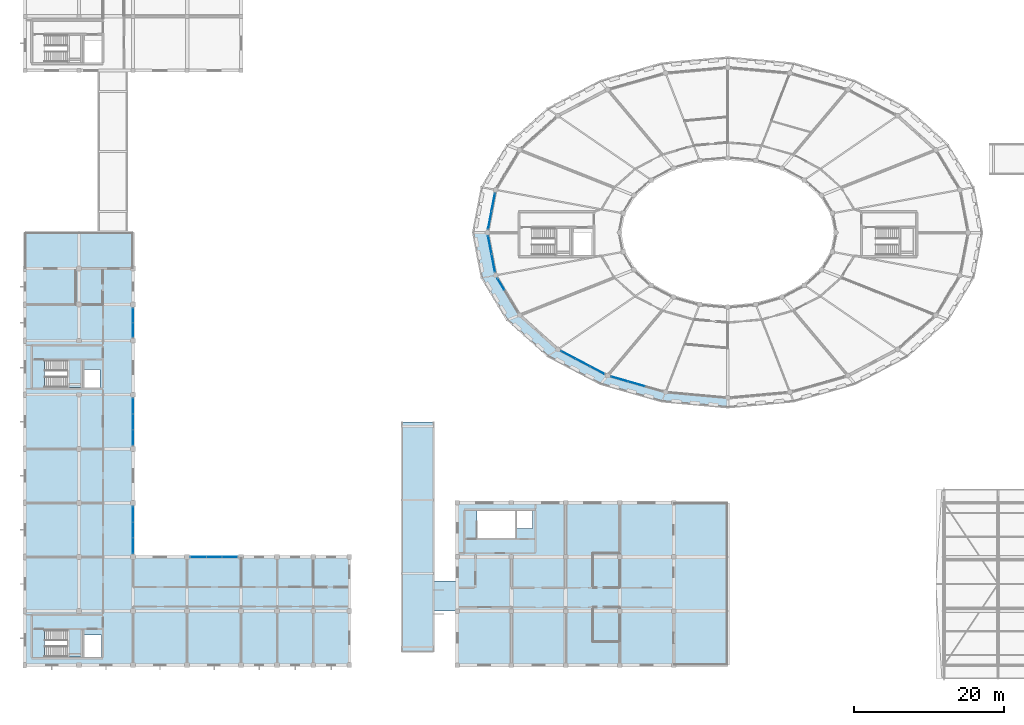
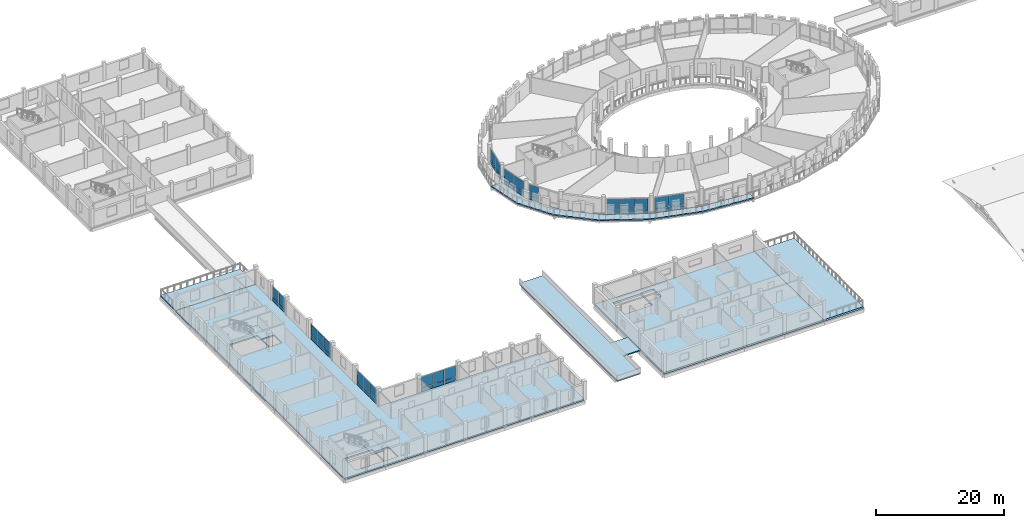
# One storey, part 64 of 93: 42 plates, 8 slabs, 11 elements without a shape of their own.
"""IFC4 building model written with IfcOpenShell, lengths in metres."""

import ifcopenshell
import ifcopenshell.guid

model = None  # the IFC model being written
_history = None  # IfcOwnerHistory: only IFC2X3 demands one
_inside = {}  # id of a spatial element -> (the spatial element, [elements in it])
_under = {}  # id of a project, library or spatial element -> (it, [spatial elements below it])
_declared = {}  # id of a project -> (the project, [libraries it declares])
_typed = {}  # id of a type object -> (the type object, [elements of that type])
_made_of = {}  # id of a material, layer set ... -> (it, [elements and type objects made of it])


def new_model(schema):
    """Start an empty IFC model of exactly this schema.

    Asked for "IFC4X3", IfcOpenShell would pick the latest addendum, in which some entities
    have other attributes; the version numbers below select the first issue.
    IFC2X3 requires an IfcOwnerHistory on every rooted entity: one is made here for all.
    """
    global model, _history
    if schema == "IFC4X3":
        model = ifcopenshell.file(schema_version=(4, 3, 0, 0))
    else:
        model = ifcopenshell.file(schema=schema)
    _inside.clear()
    _under.clear()
    _declared.clear()
    _typed.clear()
    _made_of.clear()
    _history = None
    if model.schema == "IFC2X3":
        org = make("IfcOrganization", Name="unknown")
        user = make(
            "IfcPersonAndOrganization",
            ThePerson=make("IfcPerson", FamilyName="unknown"),
            TheOrganization=org,
        )
        app = make(
            "IfcApplication",
            ApplicationDeveloper=org,
            Version="unknown",
            ApplicationFullName="unknown",
            ApplicationIdentifier="unknown",
        )
        _history = make(
            "IfcOwnerHistory",
            OwningUser=user,
            OwningApplication=app,
            ChangeAction="ADDED",
            CreationDate=0,
        )
    return model


def make(cls, **values):
    """One entity of the class cls with the attributes given. An attribute that is None is left unset."""
    return model.create_entity(
        cls, **{name: value for name, value in values.items() if value is not None}
    )


def rooted(cls, **values):
    """An entity with a GlobalId (a new one), such as an element, a storey or a relation."""
    return make(cls, GlobalId=ifcopenshell.guid.new(), OwnerHistory=_history, **values)


def si_unit(unit_type, name, prefix=None):
    """IfcSIUnit, for example si_unit("LENGTHUNIT", "METRE", prefix="MILLI")."""
    return make("IfcSIUnit", UnitType=unit_type, Prefix=prefix, Name=name)


def assignment(units):
    """IfcUnitAssignment: the units of a project."""
    return None if units is None else make("IfcUnitAssignment", Units=units)


def point(xyz):
    """IfcCartesianPoint."""
    return None if xyz is None else make("IfcCartesianPoint", Coordinates=xyz)


def direction(xyz):
    """IfcDirection."""
    return None if xyz is None else make("IfcDirection", DirectionRatios=xyz)


def frame(location, z_axis=None, x_axis=None):
    """IfcAxis2Placement3D, a coordinate frame: its origin and axes. An axis left out is left unset."""
    return make(
        "IfcAxis2Placement3D",
        Location=point(location),
        Axis=direction(z_axis),
        RefDirection=direction(x_axis),
    )


def frame_2d(location, x_axis=None):
    """IfcAxis2Placement2D, a coordinate frame in the plane: its origin and x axis."""
    return make(
        "IfcAxis2Placement2D", Location=point(location), RefDirection=direction(x_axis)
    )


def origin():
    """The frame at (0, 0, 0) with its axes left unset."""
    return frame((0.0, 0.0, 0.0))


def origin_2d():
    """The frame at (0, 0) in the plane with its x axis left unset."""
    return frame_2d((0.0, 0.0))


def place(relative_to, where):
    """IfcLocalPlacement: puts the frame where relative to a parent placement (None: the world)."""
    return make(
        "IfcLocalPlacement", PlacementRelTo=relative_to, RelativePlacement=where
    )


def context(
    kind, dimensions, precision=None, world=None, true_north=None, identifier=None
):
    """IfcGeometricRepresentationContext, for example the 3D "Model" context."""
    return make(
        "IfcGeometricRepresentationContext",
        ContextIdentifier=identifier,
        ContextType=kind,
        CoordinateSpaceDimension=dimensions,
        Precision=precision,
        WorldCoordinateSystem=world,
        TrueNorth=true_north,
    )


def subcontext(parent, identifier, kind, view, scale=None):
    """IfcGeometricRepresentationSubContext, for example "Body" below "Model"."""
    return make(
        "IfcGeometricRepresentationSubContext",
        ContextIdentifier=identifier,
        ContextType=kind,
        ParentContext=parent,
        TargetScale=scale,
        TargetView=view,
    )


def project(units=None, contexts=None):
    """IfcProject with its units and contexts."""
    return rooted(
        "IfcProject",
        Name="project",
        RepresentationContexts=contexts,
        UnitsInContext=assignment(units),
    )


def spatial(cls, under=None, at=None, **own):
    """A site, building, storey or space (cls), placed at a placement, below another one or the project."""
    s = rooted(cls, ObjectPlacement=at, **own)
    if under is not None:
        _under.setdefault(under.id(), (under, []))[1].append(s)
    return s


def polyline(points):
    """IfcPolyline through the points."""
    return make("IfcPolyline", Points=[point(p) for p in points])


def profile(cls, at=None, kind="AREA", **sizes):
    """A parametric profile (cls). Its sizes go by their IFC names, for example OverallWidth=200.0."""
    return make(cls, ProfileType=kind, Position=at, **sizes)


def rectangle(**sizes):
    """IfcRectangleProfileDef."""
    return profile("IfcRectangleProfileDef", **sizes)


def outline(outer, holes=None, kind="AREA"):
    """IfcArbitraryClosedProfileDef: a profile drawn as a closed curve; with holes, ...WithVoids."""
    if holes is None:
        return make("IfcArbitraryClosedProfileDef", ProfileType=kind, OuterCurve=outer)
    return make(
        "IfcArbitraryProfileDefWithVoids",
        ProfileType=kind,
        OuterCurve=outer,
        InnerCurves=holes,
    )


def extrude(swept, where, along, depth):
    """IfcExtrudedAreaSolid: the profile swept, set in the frame where, extruded along a direction by depth."""
    return make(
        "IfcExtrudedAreaSolid",
        SweptArea=swept,
        Position=where,
        ExtrudedDirection=direction(along),
        Depth=depth,
    )


def shape(context_of_items, identifier, shape_type, items):
    """IfcShapeRepresentation: the items that make up one representation, for example the "Body"."""
    return make(
        "IfcShapeRepresentation",
        ContextOfItems=context_of_items,
        RepresentationIdentifier=identifier,
        RepresentationType=shape_type,
        Items=items,
    )


def material(Name=None, Category=None):
    """IfcMaterial."""
    return make("IfcMaterial", Name=Name, Category=Category)


def layer(
    of_material, thickness, ventilated=None, Name=None, Category=None, Priority=None
):
    """IfcMaterialLayer: one layer of a wall or slab, of a material (None: an air gap)."""
    return make(
        "IfcMaterialLayer",
        Material=of_material,
        LayerThickness=thickness,
        IsVentilated=ventilated,
        Name=Name,
        Category=Category,
        Priority=Priority,
    )


def layer_set(layers, Name=None):
    """IfcMaterialLayerSet."""
    return make("IfcMaterialLayerSet", MaterialLayers=layers, LayerSetName=Name)


def made_of(thing, what):
    """Note that an element or type object is made of a material, layer set ...; save() writes the relation."""
    if what is not None:
        _made_of.setdefault(what.id(), (what, []))[1].append(thing)
    return thing


def type_object(cls, material=None, **own):
    """A type object (cls), such as IfcWallType, which elements share."""
    return made_of(rooted(cls, **own), material)


def element(
    cls,
    number,
    at=None,
    inside=None,
    cuts=None,
    type_object=None,
    material=None,
    context=None,
    identifier="Body",
    shape_type=None,
    held_by="IfcProductDefinitionShape",
    body=None,
    shapes=None,
    **own,
):
    """One element of the class cls, such as IfcWall. Its Tag is "e" and its number.

    at: its placement. inside: the storey or other place that contains it. cuts: it is an
    opening in that element (IfcRelVoidsElement). A single representation is given by context,
    identifier, shape_type and body (its items); several are given by shapes. held_by: the class
    of the entity that holds the representations. save() writes the other relations.
    """
    e = rooted(cls, Tag="e%d" % number, ObjectPlacement=at, **own)
    if body is not None:
        shapes = [shape(context, identifier, shape_type, body)]
    if shapes is not None:
        e.Representation = make(held_by, Representations=shapes)
    if inside is not None:
        _inside.setdefault(inside.id(), (inside, []))[1].append(e)
    if cuts is not None:
        rooted(
            "IfcRelVoidsElement", RelatingBuildingElement=cuts, RelatedOpeningElement=e
        )
    if type_object is not None:
        _typed.setdefault(type_object.id(), (type_object, []))[1].append(e)
    return made_of(e, material)


def aggregate(whole, parts):
    """IfcRelAggregates: a whole, such as a stair, and the parts it consists of."""
    return rooted("IfcRelAggregates", RelatingObject=whole, RelatedObjects=parts)


def save(model, path):
    """Write the relations noted so far, then the file.

    IfcRelAggregates (storeys below a building ...), IfcRelContainedInSpatialStructure (elements
    in a storey), IfcRelDefinesByType, IfcRelAssociatesMaterial and IfcRelDeclares: one each for
    every whole, place, type object, material and project.
    """
    for whole, parts in _under.values():
        aggregate(whole, parts)
    for where, things in _inside.values():
        rooted(
            "IfcRelContainedInSpatialStructure",
            RelatedElements=things,
            RelatingStructure=where,
        )
    for kind, things in _typed.values():
        rooted("IfcRelDefinesByType", RelatedObjects=things, RelatingType=kind)
    for what, things in _made_of.values():
        rooted("IfcRelAssociatesMaterial", RelatedObjects=things, RelatingMaterial=what)
    for by, libraries in _declared.values():
        rooted("IfcRelDeclares", RelatingContext=by, RelatedDefinitions=libraries)
    model.write(path)


model = new_model("IFC4")

# Units and contexts
model_context = context("Model", 3, precision=1e-05, world=origin(), true_north=direction((0.0, 1.0)))
body_context = subcontext(model_context, "Body", "Model", "MODEL_VIEW")
ifc_project = project(units=[si_unit("LENGTHUNIT", "METRE"), si_unit("AREAUNIT", "SQUARE_METRE"), si_unit("VOLUMEUNIT", "CUBIC_METRE"), si_unit("PLANEANGLEUNIT", "RADIAN"), si_unit("MASSUNIT", "GRAM", prefix="KILO")], contexts=[model_context])

# Site, building, storey
site_placement = place(None, origin())
site = spatial("IfcSite", under=ifc_project, at=site_placement, CompositionType="ELEMENT")
building_placement = place(site_placement, origin())
building = spatial("IfcBuilding", under=site, at=building_placement, Name="Zornivar Specialist Clinic", CompositionType="ELEMENT")
storey_placement = place(building_placement, frame((0.0, 0.0, 8.39990234375)))
storey = spatial("IfcBuildingStorey", under=building, at=storey_placement, Name="L02", CompositionType="ELEMENT", Elevation=8.39990234375)

# Curtain wall, plates
ifc_material_1 = material(Name="Aluminium and Low-E Glass Curtain Wall", Category="aluminium")
curtain_wall_type_1 = type_object("IfcCurtainWallType", Name="CW-DRUM-FACET", PredefinedType="NOTDEFINED", material=ifc_material_1)
curtain_wall_1_placement = place(storey_placement, origin())
curtain_wall_1 = element("IfcCurtainWall", 1, at=curtain_wall_1_placement, inside=storey, type_object=curtain_wall_type_1, Name="cw:V1:L02:c16", PredefinedType="NOTDEFINED")
ifc_material_2 = material(Name="Insulated Bronze Spandrel Panel")
ifc_layer_1 = layer(ifc_material_2, 0.048095703125)
ifc_layer_set_1 = layer_set([ifc_layer_1], Name="Insulated Bronze Spandrel Panel")
plate_type_1 = type_object("IfcPlateType", Name="CWP-SPN-A", PredefinedType="CURTAIN_PANEL", material=ifc_layer_set_1)
plate_1_placement = place(storey_placement, frame((79.194091796875, 38.093994140625, 0.02978515625), z_axis=(0.0, 0.0, 1.0), x_axis=(0.961761244933, -0.273889225319, 0.0)))
plate_1 = element("IfcPlate", 2, at=plate_1_placement, type_object=plate_type_1, Name="cw:V1:L02:c16:spn:0", PredefinedType="CURTAIN_PANEL", context=body_context, shape_type="SweptSolid", body=[
    extrude(rectangle(XDim=2.284912109375, YDim=0.048095703125, at=origin_2d()), origin(), (0.0, 0.0, 1.0), 0.722900390625),
])
plate_2_placement = place(storey_placement, frame((81.458984375, 37.448974609375, 0.02978515625), z_axis=(0.0, 0.0, 1.0), x_axis=(0.961761244933, -0.273889225319, 0.0)))
plate_2 = element("IfcPlate", 3, at=plate_2_placement, type_object=plate_type_1, Name="cw:V1:L02:c16:spn:1", PredefinedType="CURTAIN_PANEL", context=body_context, shape_type="SweptSolid", body=[
    extrude(rectangle(XDim=2.284912109375, YDim=0.048095703125, at=origin_2d()), origin(), (0.0, 0.0, 1.0), 0.722900390625),
])

curtain_wall_2_placement = place(storey_placement, origin())
curtain_wall_2 = element("IfcCurtainWall", 4, at=curtain_wall_2_placement, inside=storey, type_object=curtain_wall_type_1, Name="cw:V1:L02:c11", PredefinedType="NOTDEFINED")
ifc_material_3 = material(Name="Insulated Bronze Spandrel Panel")
ifc_layer_2 = layer(ifc_material_3, 0.048095703125)
ifc_layer_set_2 = layer_set([ifc_layer_2], Name="Insulated Bronze Spandrel Panel")
plate_type_2 = type_object("IfcPlateType", Name="CWP-SPN-B", PredefinedType="CURTAIN_PANEL", material=ifc_layer_set_2)
plate_3_placement = place(storey_placement, frame((62.3720703125, 61.635009765625, 0.02978515625), z_axis=(0.0, 0.0, 1.0), x_axis=(-0.187896976838, -0.982188742602, 0.0)))
plate_3 = element("IfcPlate", 5, at=plate_3_placement, type_object=plate_type_2, Name="cw:V1:L02:c11:spn:0", PredefinedType="CURTAIN_PANEL", context=body_context, shape_type="SweptSolid", body=[
    extrude(rectangle(XDim=2.34912109375, YDim=0.048095703125, at=origin_2d()), origin(), (0.0, 0.0, 1.0), 0.722900390625),
])
plate_4_placement = place(storey_placement, frame((61.9169921875, 59.259033203125, 0.02978515625), z_axis=(0.0, 0.0, 1.0), x_axis=(-0.187896976838, -0.982188742602, 0.0)))
plate_4 = element("IfcPlate", 6, at=plate_4_placement, type_object=plate_type_2, Name="cw:V1:L02:c11:spn:1", PredefinedType="CURTAIN_PANEL", context=body_context, shape_type="SweptSolid", body=[
    extrude(rectangle(XDim=2.34912109375, YDim=0.048095703125, at=origin_2d()), origin(), (0.0, 0.0, 1.0), 0.722900390625),
])

curtain_wall_3_placement = place(storey_placement, origin())
curtain_wall_3 = element("IfcCurtainWall", 7, at=curtain_wall_3_placement, inside=storey, type_object=curtain_wall_type_1, Name="cw:V1:L02:c12", PredefinedType="NOTDEFINED")
ifc_material_4 = material(Name="Insulated Bronze Spandrel Panel")
ifc_layer_3 = layer(ifc_material_4, 0.048095703125)
ifc_layer_set_3 = layer_set([ifc_layer_3], Name="Insulated Bronze Spandrel Panel")
plate_type_3 = type_object("IfcPlateType", Name="CWP-SPN-C", PredefinedType="CURTAIN_PANEL", material=ifc_layer_set_3)
plate_5_placement = place(storey_placement, frame((61.91796875, 55.94091796875, 0.02978515625), z_axis=(0.0, 0.0, 1.0), x_axis=(0.187896976838, -0.982188742602, 0.0)))
plate_5 = element("IfcPlate", 8, at=plate_5_placement, type_object=plate_type_3, Name="cw:V1:L02:c12:spn:0", PredefinedType="CURTAIN_PANEL", context=body_context, shape_type="SweptSolid", body=[
    extrude(rectangle(XDim=2.34912109375, YDim=0.048095703125, at=origin_2d()), origin(), (0.0, 0.0, 1.0), 0.722900390625),
])
plate_6_placement = place(storey_placement, frame((62.373046875, 53.56494140625, 0.02978515625), z_axis=(0.0, 0.0, 1.0), x_axis=(0.187896976838, -0.982188742602, 0.0)))
plate_6 = element("IfcPlate", 9, at=plate_6_placement, type_object=plate_type_3, Name="cw:V1:L02:c12:spn:1", PredefinedType="CURTAIN_PANEL", context=body_context, shape_type="SweptSolid", body=[
    extrude(rectangle(XDim=2.34912109375, YDim=0.048095703125, at=origin_2d()), origin(), (0.0, 0.0, 1.0), 0.722900390625),
])

# Curtain wall, plate
curtain_wall_4_placement = place(storey_placement, origin())
curtain_wall_4 = element("IfcCurtainWall", 10, at=curtain_wall_4_placement, inside=storey, type_object=curtain_wall_type_1, Name="cw:V1:L02:c13", PredefinedType="NOTDEFINED")
ifc_material_5 = material(Name="Insulated Limestone-Faced Spandrel Panel", Category="masonry")
ifc_layer_4 = layer(ifc_material_5, 0.05810546875)
ifc_layer_set_4 = layer_set([ifc_layer_4], Name="Insulated Limestone-Faced Spandrel Panel")
plate_type_4 = type_object("IfcPlateType", Name="CWP-SPN-D", PredefinedType="CURTAIN_PANEL", material=ifc_layer_set_4)
plate_7_placement = place(storey_placement, frame((63.387939453125, 50.7470703125, 0.02978515625), z_axis=(0.0, 0.0, 1.0), x_axis=(0.516127401954, -0.856511824175, 0.0)))
plate_7 = element("IfcPlate", 11, at=plate_7_placement, type_object=plate_type_4, Name="cw:V1:L02:c13:spn:0", PredefinedType="CURTAIN_PANEL", context=body_context, shape_type="SweptSolid", body=[
    extrude(rectangle(XDim=1.675048828125, YDim=0.05810546875, at=origin_2d()), origin(), (0.0, 0.0, 1.0), 0.722900390625),
])

# Curtain wall, plates
ifc_material_6 = material(Name="Aluminium and Low-E Glass Curtain Wall", Category="aluminium")
curtain_wall_type_2 = type_object("IfcCurtainWallType", Name="CW-REVAK-COURT", PredefinedType="NOTDEFINED", material=ifc_material_6)
curtain_wall_5_placement = place(storey_placement, origin())
curtain_wall_5 = element("IfcCurtainWall", 12, at=curtain_wall_5_placement, inside=storey, type_object=curtain_wall_type_2, Name="cw:V2:L02:12", PredefinedType="NOTDEFINED")
plate_8_placement = place(storey_placement, frame((27.280029296875, 14.39990234375, 0.030029296875), z_axis=(0.0, 0.0, 1.0), x_axis=(-1.0, 0.0, 0.0)))
plate_8 = element("IfcPlate", 13, at=plate_8_placement, type_object=plate_type_4, Name="cw:V2:L02:12:spn:0", PredefinedType="CURTAIN_PANEL", context=body_context, shape_type="SweptSolid", body=[
    extrude(rectangle(XDim=2.010009765625, YDim=0.05810546875, at=origin_2d()), origin(), (0.0, 0.0, 1.0), 0.7099609375),
])
plate_9_placement = place(storey_placement, frame((25.199951171875, 14.39990234375, 0.030029296875), z_axis=(0.0, 0.0, 1.0), x_axis=(-1.0, 0.0, 0.0)))
plate_9 = element("IfcPlate", 14, at=plate_9_placement, type_object=plate_type_4, Name="cw:V2:L02:12:spn:1", PredefinedType="CURTAIN_PANEL", context=body_context, shape_type="SweptSolid", body=[
    extrude(rectangle(XDim=2.010009765625, YDim=0.05810546875, at=origin_2d()), origin(), (0.0, 0.0, 1.0), 0.7099609375),
])
plate_10_placement = place(storey_placement, frame((23.1201171875, 14.39990234375, 0.030029296875), z_axis=(0.0, 0.0, 1.0), x_axis=(-1.0, 0.0, 0.0)))
plate_10 = element("IfcPlate", 15, at=plate_10_placement, type_object=plate_type_4, Name="cw:V2:L02:12:spn:2", PredefinedType="CURTAIN_PANEL", context=body_context, shape_type="SweptSolid", body=[
    extrude(rectangle(XDim=2.010009765625, YDim=0.05810546875, at=origin_2d()), origin(), (0.0, 0.0, 1.0), 0.7099609375),
])

curtain_wall_6_placement = place(storey_placement, origin())
curtain_wall_6 = element("IfcCurtainWall", 16, at=curtain_wall_6_placement, inside=storey, type_object=curtain_wall_type_2, Name="cw:V2:L02:14", PredefinedType="NOTDEFINED")
plate_11_placement = place(storey_placement, frame((14.39990234375, 15.919921875, 0.030029296875), z_axis=(0.0, 0.0, 1.0), x_axis=(0.0, 1.0, 0.0)))
plate_11 = element("IfcPlate", 17, at=plate_11_placement, type_object=plate_type_4, Name="cw:V2:L02:14:spn:0", PredefinedType="CURTAIN_PANEL", context=body_context, shape_type="SweptSolid", body=[
    extrude(rectangle(XDim=2.010009765625, YDim=0.05810546875, at=origin_2d()), origin(), (0.0, 0.0, 1.0), 0.7099609375),
])
plate_12_placement = place(storey_placement, frame((14.39990234375, 18.0, 0.030029296875), z_axis=(0.0, 0.0, 1.0), x_axis=(0.0, 1.0, 0.0)))
plate_12 = element("IfcPlate", 18, at=plate_12_placement, type_object=plate_type_4, Name="cw:V2:L02:14:spn:1", PredefinedType="CURTAIN_PANEL", context=body_context, shape_type="SweptSolid", body=[
    extrude(rectangle(XDim=2.010009765625, YDim=0.05810546875, at=origin_2d()), origin(), (0.0, 0.0, 1.0), 0.7099609375),
])
plate_13_placement = place(storey_placement, frame((14.39990234375, 20.080078125, 0.030029296875), z_axis=(0.0, 0.0, 1.0), x_axis=(0.0, 1.0, 0.0)))
plate_13 = element("IfcPlate", 19, at=plate_13_placement, type_object=plate_type_4, Name="cw:V2:L02:14:spn:2", PredefinedType="CURTAIN_PANEL", context=body_context, shape_type="SweptSolid", body=[
    extrude(rectangle(XDim=2.010009765625, YDim=0.05810546875, at=origin_2d()), origin(), (0.0, 0.0, 1.0), 0.7099609375),
])

curtain_wall_7_placement = place(storey_placement, origin())
curtain_wall_7 = element("IfcCurtainWall", 20, at=curtain_wall_7_placement, inside=storey, type_object=curtain_wall_type_2, Name="cw:V2:L02:16", PredefinedType="NOTDEFINED")
plate_14_placement = place(storey_placement, frame((14.39990234375, 30.320068359375, 0.030029296875), z_axis=(0.0, 0.0, 1.0), x_axis=(0.0, 1.0, 0.0)))
plate_14 = element("IfcPlate", 21, at=plate_14_placement, type_object=plate_type_4, Name="cw:V2:L02:16:spn:0", PredefinedType="CURTAIN_PANEL", context=body_context, shape_type="SweptSolid", body=[
    extrude(rectangle(XDim=2.010009765625, YDim=0.05810546875, at=origin_2d()), origin(), (0.0, 0.0, 1.0), 0.7099609375),
])
plate_15_placement = place(storey_placement, frame((14.39990234375, 32.39990234375, 0.030029296875), z_axis=(0.0, 0.0, 1.0), x_axis=(0.0, 1.0, 0.0)))
plate_15 = element("IfcPlate", 22, at=plate_15_placement, type_object=plate_type_4, Name="cw:V2:L02:16:spn:1", PredefinedType="CURTAIN_PANEL", context=body_context, shape_type="SweptSolid", body=[
    extrude(rectangle(XDim=2.010009765625, YDim=0.05810546875, at=origin_2d()), origin(), (0.0, 0.0, 1.0), 0.7099609375),
])
plate_16_placement = place(storey_placement, frame((14.39990234375, 34.47998046875, 0.030029296875), z_axis=(0.0, 0.0, 1.0), x_axis=(0.0, 1.0, 0.0)))
plate_16 = element("IfcPlate", 23, at=plate_16_placement, type_object=plate_type_4, Name="cw:V2:L02:16:spn:2", PredefinedType="CURTAIN_PANEL", context=body_context, shape_type="SweptSolid", body=[
    extrude(rectangle(XDim=2.010009765625, YDim=0.05810546875, at=origin_2d()), origin(), (0.0, 0.0, 1.0), 0.7099609375),
])

curtain_wall_8_placement = place(storey_placement, origin())
curtain_wall_8 = element("IfcCurtainWall", 24, at=curtain_wall_8_placement, inside=storey, type_object=curtain_wall_type_2, Name="cw:V2:L02:18", PredefinedType="NOTDEFINED")
plate_17_placement = place(storey_placement, frame((14.39990234375, 44.639892578125, 0.030029296875), z_axis=(0.0, 0.0, 1.0), x_axis=(0.0, 1.0, 0.0)))
plate_17 = element("IfcPlate", 25, at=plate_17_placement, type_object=plate_type_4, Name="cw:V2:L02:18:spn:0", PredefinedType="CURTAIN_PANEL", context=body_context, shape_type="SweptSolid", body=[
    extrude(rectangle(XDim=1.85009765625, YDim=0.05810546875, at=origin_2d()), origin(), (0.0, 0.0, 1.0), 0.7099609375),
])
plate_18_placement = place(storey_placement, frame((14.39990234375, 46.56005859375, 0.030029296875), z_axis=(0.0, 0.0, 1.0), x_axis=(0.0, 1.0, 0.0)))
plate_18 = element("IfcPlate", 26, at=plate_18_placement, type_object=plate_type_4, Name="cw:V2:L02:18:spn:1", PredefinedType="CURTAIN_PANEL", context=body_context, shape_type="SweptSolid", body=[
    extrude(rectangle(XDim=1.85009765625, YDim=0.05810546875, at=origin_2d()), origin(), (0.0, 0.0, 1.0), 0.7099609375),
])

curtain_wall_9_placement = place(storey_placement, origin())
curtain_wall_9 = element("IfcCurtainWall", 27, at=curtain_wall_9_placement, inside=storey, type_object=curtain_wall_type_1, Name="cw:V1:L02:c15", PredefinedType="NOTDEFINED")
ifc_material_7 = material(Name="Insulated Terracotta Spandrel Panel", Category="masonry")
ifc_layer_5 = layer(ifc_material_7, 0.05810546875)
ifc_layer_set_5 = layer_set([ifc_layer_5], Name="Insulated Terracotta Spandrel Panel")
plate_type_5 = type_object("IfcPlateType", Name="CWP-SPN-F", PredefinedType="CURTAIN_PANEL", material=ifc_layer_set_5)
plate_19_placement = place(storey_placement, frame((72.361083984375, 41.31201171875, 0.02978515625), z_axis=(0.0, 0.0, 1.0), x_axis=(0.884383019078, -0.46676190458, 0.0)))
plate_19 = element("IfcPlate", 28, at=plate_19_placement, type_object=plate_type_5, Name="cw:V1:L02:c15:spn:0", PredefinedType="CURTAIN_PANEL", context=body_context, shape_type="SweptSolid", body=[
    extrude(rectangle(XDim=2.10791015625, YDim=0.05810546875, at=origin_2d()), origin(), (0.0, 0.0, 1.0), 0.722900390625),
])
plate_20_placement = place(storey_placement, frame((74.287109375, 40.2958984375, 0.02978515625), z_axis=(0.0, 0.0, 1.0), x_axis=(0.884383019078, -0.46676190458, 0.0)))
plate_20 = element("IfcPlate", 29, at=plate_20_placement, type_object=plate_type_5, Name="cw:V1:L02:c15:spn:1", PredefinedType="CURTAIN_PANEL", context=body_context, shape_type="SweptSolid", body=[
    extrude(rectangle(XDim=2.10791015625, YDim=0.05810546875, at=origin_2d()), origin(), (0.0, 0.0, 1.0), 0.722900390625),
])
plate_21_placement = place(storey_placement, frame((76.212890625, 39.279052734375, 0.02978515625), z_axis=(0.0, 0.0, 1.0), x_axis=(0.884383019078, -0.46676190458, 0.0)))
plate_21 = element("IfcPlate", 30, at=plate_21_placement, type_object=plate_type_5, Name="cw:V1:L02:c15:spn:2", PredefinedType="CURTAIN_PANEL", context=body_context, shape_type="SweptSolid", body=[
    extrude(rectangle(XDim=2.10791015625, YDim=0.05810546875, at=origin_2d()), origin(), (0.0, 0.0, 1.0), 0.722900390625),
])

# Plate
ifc_material_8 = material(Name="Triple Low-E Vision Glass", Category="glass")
ifc_layer_6 = layer(ifc_material_8, 0.0380859375)
ifc_layer_set_6 = layer_set([ifc_layer_6], Name="Triple Low-E Vision Glass")
plate_type_6 = type_object("IfcPlateType", Name="CWP-VIS-D", PredefinedType="CURTAIN_PANEL", material=ifc_layer_set_6)
plate_22_placement = place(storey_placement, frame((62.3720703125, 61.635009765625, 0.81787109375), z_axis=(0.0, 0.0, 1.0), x_axis=(-0.187896976838, -0.982188742602, 0.0)))
plate_22 = element("IfcPlate", 31, at=plate_22_placement, type_object=plate_type_6, Name="cw:V1:L02:c11:vis:0", PredefinedType="CURTAIN_PANEL", context=body_context, shape_type="SweptSolid", body=[
    extrude(rectangle(XDim=2.34912109375, YDim=0.0380859375, at=origin_2d()), origin(), (0.0, 0.0, 1.0), 2.092041015625),
])

plate_23_placement = place(storey_placement, frame((61.9169921875, 59.259033203125, 0.81787109375), z_axis=(0.0, 0.0, 1.0), x_axis=(-0.187896976838, -0.982188742602, 0.0)))
plate_23 = element("IfcPlate", 32, at=plate_23_placement, type_object=plate_type_6, Name="cw:V1:L02:c11:vis:1", PredefinedType="CURTAIN_PANEL", context=body_context, shape_type="SweptSolid", body=[
    extrude(rectangle(XDim=2.34912109375, YDim=0.0380859375, at=origin_2d()), origin(), (0.0, 0.0, 1.0), 2.092041015625),
])

aggregate(curtain_wall_2, [plate_3, plate_22, plate_4, plate_23])

ifc_material_9 = material(Name="Triple Low-E Vision Glass", Category="glass")
ifc_layer_7 = layer(ifc_material_9, 0.035888671875)
ifc_layer_set_7 = layer_set([ifc_layer_7], Name="Triple Low-E Vision Glass")
plate_type_7 = type_object("IfcPlateType", Name="CWP-VIS-E", PredefinedType="CURTAIN_PANEL", material=ifc_layer_set_7)
plate_24_placement = place(storey_placement, frame((61.91796875, 55.94091796875, 0.81787109375), z_axis=(0.0, 0.0, 1.0), x_axis=(0.187896976838, -0.982188742602, 0.0)))
plate_24 = element("IfcPlate", 33, at=plate_24_placement, type_object=plate_type_7, Name="cw:V1:L02:c12:vis:0", PredefinedType="CURTAIN_PANEL", context=body_context, shape_type="SweptSolid", body=[
    extrude(rectangle(XDim=2.34912109375, YDim=0.035888671875, at=origin_2d()), origin(), (0.0, 0.0, 1.0), 2.092041015625),
])

plate_25_placement = place(storey_placement, frame((62.373046875, 53.56494140625, 0.81787109375), z_axis=(0.0, 0.0, 1.0), x_axis=(0.187896976838, -0.982188742602, 0.0)))
plate_25 = element("IfcPlate", 34, at=plate_25_placement, type_object=plate_type_7, Name="cw:V1:L02:c12:vis:1", PredefinedType="CURTAIN_PANEL", context=body_context, shape_type="SweptSolid", body=[
    extrude(rectangle(XDim=2.34912109375, YDim=0.035888671875, at=origin_2d()), origin(), (0.0, 0.0, 1.0), 2.092041015625),
])

aggregate(curtain_wall_3, [plate_5, plate_24, plate_6, plate_25])

ifc_material_10 = material(Name="Triple Low-E Vision Glass", Category="glass")
ifc_layer_8 = layer(ifc_material_10, 0.035888671875)
ifc_layer_set_8 = layer_set([ifc_layer_8], Name="Triple Low-E Vision Glass")
plate_type_8 = type_object("IfcPlateType", Name="CWP-VIS-F", PredefinedType="CURTAIN_PANEL", material=ifc_layer_set_8)
plate_26_placement = place(storey_placement, frame((63.387939453125, 50.7470703125, 0.81787109375), z_axis=(0.0, 0.0, 1.0), x_axis=(0.516127401954, -0.856511824175, 0.0)))
plate_26 = element("IfcPlate", 35, at=plate_26_placement, type_object=plate_type_8, Name="cw:V1:L02:c13:vis:0", PredefinedType="CURTAIN_PANEL", context=body_context, shape_type="SweptSolid", body=[
    extrude(rectangle(XDim=1.675048828125, YDim=0.035888671875, at=origin_2d()), origin(), (0.0, 0.0, 1.0), 2.092041015625),
])

aggregate(curtain_wall_4, [plate_7, plate_26])

plate_27_placement = place(storey_placement, frame((27.280029296875, 14.39990234375, 0.8046875), z_axis=(0.0, 0.0, 1.0), x_axis=(-1.0, 0.0, 0.0)))
plate_27 = element("IfcPlate", 36, at=plate_27_placement, type_object=plate_type_8, Name="cw:V2:L02:12:vis:0", PredefinedType="CURTAIN_PANEL", context=body_context, shape_type="SweptSolid", body=[
    extrude(rectangle(XDim=2.010009765625, YDim=0.035888671875, at=origin_2d()), origin(), (0.0, 0.0, 1.0), 2.054931640625),
])

plate_28_placement = place(storey_placement, frame((25.199951171875, 14.39990234375, 0.8046875), z_axis=(0.0, 0.0, 1.0), x_axis=(-1.0, 0.0, 0.0)))
plate_28 = element("IfcPlate", 37, at=plate_28_placement, type_object=plate_type_8, Name="cw:V2:L02:12:vis:1", PredefinedType="CURTAIN_PANEL", context=body_context, shape_type="SweptSolid", body=[
    extrude(rectangle(XDim=2.010009765625, YDim=0.035888671875, at=origin_2d()), origin(), (0.0, 0.0, 1.0), 2.054931640625),
])

plate_29_placement = place(storey_placement, frame((23.1201171875, 14.39990234375, 0.8046875), z_axis=(0.0, 0.0, 1.0), x_axis=(-1.0, 0.0, 0.0)))
plate_29 = element("IfcPlate", 38, at=plate_29_placement, type_object=plate_type_8, Name="cw:V2:L02:12:vis:2", PredefinedType="CURTAIN_PANEL", context=body_context, shape_type="SweptSolid", body=[
    extrude(rectangle(XDim=2.010009765625, YDim=0.035888671875, at=origin_2d()), origin(), (0.0, 0.0, 1.0), 2.054931640625),
])

aggregate(curtain_wall_5, [plate_8, plate_27, plate_9, plate_28, plate_10, plate_29])

plate_30_placement = place(storey_placement, frame((14.39990234375, 30.320068359375, 0.8046875), z_axis=(0.0, 0.0, 1.0), x_axis=(0.0, 1.0, 0.0)))
plate_30 = element("IfcPlate", 39, at=plate_30_placement, type_object=plate_type_8, Name="cw:V2:L02:16:vis:0", PredefinedType="CURTAIN_PANEL", context=body_context, shape_type="SweptSolid", body=[
    extrude(rectangle(XDim=2.010009765625, YDim=0.035888671875, at=origin_2d()), origin(), (0.0, 0.0, 1.0), 2.054931640625),
])

plate_31_placement = place(storey_placement, frame((14.39990234375, 32.39990234375, 0.8046875), z_axis=(0.0, 0.0, 1.0), x_axis=(0.0, 1.0, 0.0)))
plate_31 = element("IfcPlate", 40, at=plate_31_placement, type_object=plate_type_8, Name="cw:V2:L02:16:vis:1", PredefinedType="CURTAIN_PANEL", context=body_context, shape_type="SweptSolid", body=[
    extrude(rectangle(XDim=2.010009765625, YDim=0.035888671875, at=origin_2d()), origin(), (0.0, 0.0, 1.0), 2.054931640625),
])

plate_32_placement = place(storey_placement, frame((14.39990234375, 34.47998046875, 0.8046875), z_axis=(0.0, 0.0, 1.0), x_axis=(0.0, 1.0, 0.0)))
plate_32 = element("IfcPlate", 41, at=plate_32_placement, type_object=plate_type_8, Name="cw:V2:L02:16:vis:2", PredefinedType="CURTAIN_PANEL", context=body_context, shape_type="SweptSolid", body=[
    extrude(rectangle(XDim=2.010009765625, YDim=0.035888671875, at=origin_2d()), origin(), (0.0, 0.0, 1.0), 2.054931640625),
])

aggregate(curtain_wall_7, [plate_14, plate_30, plate_15, plate_31, plate_16, plate_32])

ifc_material_11 = material(Name="Triple Low-E Vision Glass", Category="glass")
ifc_layer_9 = layer(ifc_material_11, 0.035888671875)
ifc_layer_set_9 = layer_set([ifc_layer_9], Name="Triple Low-E Vision Glass")
plate_type_9 = type_object("IfcPlateType", Name="CWP-VIS-G", PredefinedType="CURTAIN_PANEL", material=ifc_layer_set_9)
plate_33_placement = place(storey_placement, frame((14.39990234375, 15.919921875, 0.8046875), z_axis=(0.0, 0.0, 1.0), x_axis=(0.0, 1.0, 0.0)))
plate_33 = element("IfcPlate", 42, at=plate_33_placement, type_object=plate_type_9, Name="cw:V2:L02:14:vis:0", PredefinedType="CURTAIN_PANEL", context=body_context, shape_type="SweptSolid", body=[
    extrude(rectangle(XDim=2.010009765625, YDim=0.035888671875, at=origin_2d()), origin(), (0.0, 0.0, 1.0), 2.054931640625),
])

plate_34_placement = place(storey_placement, frame((14.39990234375, 18.0, 0.8046875), z_axis=(0.0, 0.0, 1.0), x_axis=(0.0, 1.0, 0.0)))
plate_34 = element("IfcPlate", 43, at=plate_34_placement, type_object=plate_type_9, Name="cw:V2:L02:14:vis:1", PredefinedType="CURTAIN_PANEL", context=body_context, shape_type="SweptSolid", body=[
    extrude(rectangle(XDim=2.010009765625, YDim=0.035888671875, at=origin_2d()), origin(), (0.0, 0.0, 1.0), 2.054931640625),
])

plate_35_placement = place(storey_placement, frame((14.39990234375, 20.080078125, 0.8046875), z_axis=(0.0, 0.0, 1.0), x_axis=(0.0, 1.0, 0.0)))
plate_35 = element("IfcPlate", 44, at=plate_35_placement, type_object=plate_type_9, Name="cw:V2:L02:14:vis:2", PredefinedType="CURTAIN_PANEL", context=body_context, shape_type="SweptSolid", body=[
    extrude(rectangle(XDim=2.010009765625, YDim=0.035888671875, at=origin_2d()), origin(), (0.0, 0.0, 1.0), 2.054931640625),
])

aggregate(curtain_wall_6, [plate_11, plate_33, plate_12, plate_34, plate_13, plate_35])

plate_36_placement = place(storey_placement, frame((14.39990234375, 44.639892578125, 0.8046875), z_axis=(0.0, 0.0, 1.0), x_axis=(0.0, 1.0, 0.0)))
plate_36 = element("IfcPlate", 45, at=plate_36_placement, type_object=plate_type_9, Name="cw:V2:L02:18:vis:0", PredefinedType="CURTAIN_PANEL", context=body_context, shape_type="SweptSolid", body=[
    extrude(rectangle(XDim=1.85009765625, YDim=0.035888671875, at=origin_2d()), origin(), (0.0, 0.0, 1.0), 2.054931640625),
])

plate_37_placement = place(storey_placement, frame((14.39990234375, 46.56005859375, 0.8046875), z_axis=(0.0, 0.0, 1.0), x_axis=(0.0, 1.0, 0.0)))
plate_37 = element("IfcPlate", 46, at=plate_37_placement, type_object=plate_type_9, Name="cw:V2:L02:18:vis:1", PredefinedType="CURTAIN_PANEL", context=body_context, shape_type="SweptSolid", body=[
    extrude(rectangle(XDim=1.85009765625, YDim=0.035888671875, at=origin_2d()), origin(), (0.0, 0.0, 1.0), 2.054931640625),
])

aggregate(curtain_wall_8, [plate_17, plate_36, plate_18, plate_37])

ifc_material_12 = material(Name="Triple Low-E Vision Glass", Category="glass")
ifc_layer_10 = layer(ifc_material_12, 0.033935546875)
ifc_layer_set_10 = layer_set([ifc_layer_10], Name="Triple Low-E Vision Glass")
plate_type_10 = type_object("IfcPlateType", Name="CWP-VIS-H", PredefinedType="CURTAIN_PANEL", material=ifc_layer_set_10)
plate_38_placement = place(storey_placement, frame((72.361083984375, 41.31201171875, 0.81787109375), z_axis=(0.0, 0.0, 1.0), x_axis=(0.884383019078, -0.46676190458, 0.0)))
plate_38 = element("IfcPlate", 47, at=plate_38_placement, type_object=plate_type_10, Name="cw:V1:L02:c15:vis:0", PredefinedType="CURTAIN_PANEL", context=body_context, shape_type="SweptSolid", body=[
    extrude(rectangle(XDim=2.10791015625, YDim=0.033935546875, at=origin_2d()), origin(), (0.0, 0.0, 1.0), 2.092041015625),
])

plate_39_placement = place(storey_placement, frame((74.287109375, 40.2958984375, 0.81787109375), z_axis=(0.0, 0.0, 1.0), x_axis=(0.884383019078, -0.46676190458, 0.0)))
plate_39 = element("IfcPlate", 48, at=plate_39_placement, type_object=plate_type_10, Name="cw:V1:L02:c15:vis:1", PredefinedType="CURTAIN_PANEL", context=body_context, shape_type="SweptSolid", body=[
    extrude(rectangle(XDim=2.10791015625, YDim=0.033935546875, at=origin_2d()), origin(), (0.0, 0.0, 1.0), 2.092041015625),
])

plate_40_placement = place(storey_placement, frame((76.212890625, 39.279052734375, 0.81787109375), z_axis=(0.0, 0.0, 1.0), x_axis=(0.884383019078, -0.46676190458, 0.0)))
plate_40 = element("IfcPlate", 49, at=plate_40_placement, type_object=plate_type_10, Name="cw:V1:L02:c15:vis:2", PredefinedType="CURTAIN_PANEL", context=body_context, shape_type="SweptSolid", body=[
    extrude(rectangle(XDim=2.10791015625, YDim=0.033935546875, at=origin_2d()), origin(), (0.0, 0.0, 1.0), 2.092041015625),
])

aggregate(curtain_wall_9, [plate_19, plate_38, plate_20, plate_39, plate_21, plate_40])

ifc_material_13 = material(Name="Triple Low-E Vision Glass", Category="glass")
ifc_layer_11 = layer(ifc_material_13, 0.033935546875)
ifc_layer_set_11 = layer_set([ifc_layer_11], Name="Triple Low-E Vision Glass")
plate_type_11 = type_object("IfcPlateType", Name="CWP-VIS-J", PredefinedType="CURTAIN_PANEL", material=ifc_layer_set_11)
plate_41_placement = place(storey_placement, frame((79.194091796875, 38.093994140625, 0.81787109375), z_axis=(0.0, 0.0, 1.0), x_axis=(0.961761244933, -0.273889225319, 0.0)))
plate_41 = element("IfcPlate", 50, at=plate_41_placement, type_object=plate_type_11, Name="cw:V1:L02:c16:vis:0", PredefinedType="CURTAIN_PANEL", context=body_context, shape_type="SweptSolid", body=[
    extrude(rectangle(XDim=2.284912109375, YDim=0.033935546875, at=origin_2d()), origin(), (0.0, 0.0, 1.0), 2.092041015625),
])

plate_42_placement = place(storey_placement, frame((81.458984375, 37.448974609375, 0.81787109375), z_axis=(0.0, 0.0, 1.0), x_axis=(0.961761244933, -0.273889225319, 0.0)))
plate_42 = element("IfcPlate", 51, at=plate_42_placement, type_object=plate_type_11, Name="cw:V1:L02:c16:vis:1", PredefinedType="CURTAIN_PANEL", context=body_context, shape_type="SweptSolid", body=[
    extrude(rectangle(XDim=2.284912109375, YDim=0.033935546875, at=origin_2d()), origin(), (0.0, 0.0, 1.0), 2.092041015625),
])

aggregate(curtain_wall_1, [plate_1, plate_41, plate_2, plate_42])

# Slabs
ifc_material_14 = material(Name="Concrete C30/37", Category="concrete")
ifc_layer_12 = layer(ifc_material_14, 0.239990234375)
ifc_layer_set_12 = layer_set([ifc_layer_12], Name="Concrete C30/37")
slab_type_1 = type_object("IfcSlabType", Name="SLB-EXT-BALC-240", PredefinedType="FLOOR", material=ifc_layer_set_12)
slab_1_placement = place(storey_placement, frame((0.0, 0.0, -0.239990234375)))
element("IfcSlab", 52, at=slab_1_placement, inside=storey, type_object=slab_type_1, Name="slab:V1:L02:balc:q2", PredefinedType="FLOOR", context=body_context, shape_type="SweptSolid", body=[
    extrude(outline(polyline([(61.60009765625, 57.60009765625), (62.68994140625, 51.906005859375), (65.886962890625, 46.60009765625), (70.972900390625, 42.0439453125), (77.60009765625, 38.547119140625), (85.318115234375, 36.35009765625), (93.60009765625, 35.60009765625), (93.60009765625, 34.280029296875), (84.821044921875, 35.074951171875), (76.639892578125, 37.404052734375), (69.614990234375, 41.110107421875), (64.22412109375, 45.93994140625), (60.8359375, 51.56396484375), (59.679931640625, 57.60009765625), (61.60009765625, 57.60009765625)])), origin(), (0.0, 0.0, 1.0), 0.239990234375),
])
ifc_material_15 = material(Name="Concrete C30/37", Category="concrete")
ifc_layer_13 = layer(ifc_material_15, 0.280029296875)
ifc_layer_set_13 = layer_set([ifc_layer_13], Name="Concrete C30/37")
slab_type_2 = type_object("IfcSlabType", Name="SLB-EXT-TERR-280", PredefinedType="FLOOR", material=ifc_layer_set_13)
slab_2_placement = place(storey_placement, frame((0.0, 0.0, -0.27978515625)))
element("IfcSlab", 53, at=slab_2_placement, inside=storey, type_object=slab_type_2, Name="slab:V2:L02:terr:0", PredefinedType="FLOOR", context=body_context, shape_type="SweptSolid", body=[
    extrude(outline(polyline([(0.0, 52.800048828125), (14.39990234375, 52.800048828125), (14.39990234375, 57.60009765625), (0.0, 57.60009765625), (0.0, 52.800048828125)])), origin(), (0.0, 0.0, 1.0), 0.27978515625),
])
ifc_material_16 = material(Name="Concrete C30/37", Category="concrete")
ifc_layer_14 = layer(ifc_material_16, 0.35009765625)
ifc_layer_set_14 = layer_set([ifc_layer_14], Name="Concrete C30/37")
slab_type_3 = type_object("IfcSlabType", Name="SLB-EXT-TERR-350", PredefinedType="FLOOR", material=ifc_layer_set_14)
slab_3_placement = place(storey_placement, frame((0.0, 0.0, -0.349853515625)))
element("IfcSlab", 54, at=slab_3_placement, inside=storey, type_object=slab_type_3, Name="slab:V3:L02:terr:0", PredefinedType="FLOOR", context=body_context, shape_type="SweptSolid", body=[
    extrude(outline(polyline([(86.39990234375, 0.0), (93.60009765625, 0.0), (93.60009765625, 21.60009765625), (86.39990234375, 21.60009765625), (86.39990234375, 0.0)])), origin(), (0.0, 0.0, 1.0), 0.349853515625),
])
ifc_material_17 = material(Name="Concrete C30/37", Category="concrete")
ifc_layer_15 = layer(ifc_material_17, 0.280029296875)
ifc_layer_set_15 = layer_set([ifc_layer_15], Name="Concrete C30/37")
slab_type_4 = type_object("IfcSlabType", Name="SLB-FLR-280", PredefinedType="FLOOR", material=ifc_layer_set_15)
slab_4_placement = place(storey_placement, frame((0.0, 0.0, -0.27978515625)))
element("IfcSlab", 55, at=slab_4_placement, inside=storey, type_object=slab_type_4, Name="slab:V2:L02:main", PredefinedType="FLOOR", context=body_context, shape_type="SweptSolid", body=[
    extrude(outline(polyline([(0.0, 0.0), (43.199951171875, 0.0), (43.199951171875, 14.39990234375), (14.39990234375, 14.39990234375), (14.39990234375, 52.800048828125), (0.0, 52.800048828125), (0.0, 0.0)]), holes=[polyline([(2.6201171875, 1.10009765625), (7.699951171875, 1.10009765625), (7.699951171875, 4.699951171875), (2.6201171875, 4.699951171875), (2.6201171875, 1.10009765625)]), polyline([(7.800048828125, 1.0), (10.199951171875, 1.0), (10.199951171875, 4.0), (7.800048828125, 4.0), (7.800048828125, 1.0)]), polyline([(2.6201171875, 37.0), (7.699951171875, 37.0), (7.699951171875, 40.60009765625), (2.6201171875, 40.60009765625), (2.6201171875, 37.0)]), polyline([(7.800048828125, 37.0), (10.0, 37.0), (10.0, 39.39990234375), (7.800048828125, 39.39990234375), (7.800048828125, 37.0)])]), origin(), (0.0, 0.0, 1.0), 0.27978515625),
])
ifc_material_18 = material(Name="Concrete C30/37", Category="concrete")
ifc_layer_16 = layer(ifc_material_18, 0.35009765625)
ifc_layer_set_16 = layer_set([ifc_layer_16], Name="Concrete C30/37")
slab_type_5 = type_object("IfcSlabType", Name="SLB-FLR-IMG-350", PredefinedType="FLOOR", material=ifc_layer_set_16)
slab_5_placement = place(storey_placement, frame((0.0, 0.0, -0.349853515625)))
element("IfcSlab", 56, at=slab_5_placement, inside=storey, type_object=slab_type_5, Name="slab:V3:L02:main", PredefinedType="FLOOR", context=body_context, shape_type="SweptSolid", body=[
    extrude(outline(polyline([(57.60009765625, 0.0), (86.39990234375, 0.0), (86.39990234375, 21.60009765625), (57.60009765625, 21.60009765625), (57.60009765625, 0.0)]), holes=[polyline([(60.219970703125, 16.89990234375), (65.300048828125, 16.89990234375), (65.300048828125, 20.5), (60.219970703125, 20.5), (60.219970703125, 16.89990234375)]), polyline([(65.39990234375, 18.199951171875), (67.60009765625, 18.199951171875), (67.60009765625, 20.60009765625), (65.39990234375, 20.60009765625), (65.39990234375, 18.199951171875)])]), origin(), (0.0, 0.0, 1.0), 0.349853515625),
])

# Stair, slab
ifc_material_19 = material(Name="Concrete C30/37", Category="concrete")
stair_type = type_object("IfcStairType", Name="STR-CORE-TYP-3900", PredefinedType="HALF_TURN_STAIR", material=ifc_material_19)
stair_1_placement = place(storey_placement, origin())
stair_1 = element("IfcStair", 57, at=stair_1_placement, inside=storey, type_object=stair_type, Name="stair:C1:L02", PredefinedType="HALF_TURN_STAIR")
ifc_material_20 = material(Name="Concrete C30/37", Category="concrete")
ifc_layer_17 = layer(ifc_material_20, 0.179931640625)
ifc_layer_set_17 = layer_set([ifc_layer_17], Name="Concrete C30/37")
slab_type_6 = type_object("IfcSlabType", Name="SLB-LANDING-180", PredefinedType="LANDING", material=ifc_layer_set_17)
slab_6_placement = place(storey_placement, frame((0.0, 0.0, 1.77001953125)))
slab_6 = element("IfcSlab", 58, at=slab_6_placement, type_object=slab_type_6, Name="stair:C1:L02:land", PredefinedType="LANDING", context=body_context, shape_type="SweptSolid", body=[
    extrude(outline(polyline([(5.659912109375, 1.080078125), (7.719970703125, 1.080078125), (7.719970703125, 4.719970703125), (5.659912109375, 4.719970703125), (5.659912109375, 1.080078125)])), origin(), (0.0, 0.0, 1.0), 0.18017578125),
])
aggregate(stair_1, [slab_6])

stair_2_placement = place(storey_placement, origin())
stair_2 = element("IfcStair", 59, at=stair_2_placement, inside=storey, type_object=stair_type, Name="stair:C2:L02", PredefinedType="HALF_TURN_STAIR")
slab_7_placement = place(storey_placement, frame((0.0, 0.0, 1.77001953125)))
slab_7 = element("IfcSlab", 60, at=slab_7_placement, type_object=slab_type_6, Name="stair:C2:L02:land", PredefinedType="LANDING", context=body_context, shape_type="SweptSolid", body=[
    extrude(outline(polyline([(5.659912109375, 36.97998046875), (7.719970703125, 36.97998046875), (7.719970703125, 40.6201171875), (5.659912109375, 40.6201171875), (5.659912109375, 36.97998046875)])), origin(), (0.0, 0.0, 1.0), 0.18017578125),
])
aggregate(stair_2, [slab_7])

# Slab
ifc_material_21 = material(Name="Concrete C30/37", Category="concrete")
ifc_layer_18 = layer(ifc_material_21, 0.219970703125)
ifc_layer_set_18 = layer_set([ifc_layer_18], Name="Concrete C30/37")
slab_type_7 = type_object("IfcSlabType", Name="SLB-ROOF-FLAT-220", PredefinedType="ROOF", material=ifc_layer_set_18)
slab_8_placement = place(storey_placement, frame((0.0, 0.0, -0.219970703125)))
element("IfcSlab", 61, at=slab_8_placement, inside=storey, type_object=slab_type_7, Name="slab:BR1:L02:roof", PredefinedType="ROOF", context=body_context, shape_type="SweptSolid", body=[
    extrude(outline(polyline([(57.47998046875, 11.199951171875), (57.47998046875, 7.199951171875), (54.39990234375, 7.199951171875), (54.39990234375, 1.800048828125), (50.199951171875, 1.800048828125), (50.199951171875, 32.39990234375), (54.39990234375, 32.39990234375), (54.39990234375, 11.199951171875), (57.47998046875, 11.199951171875)])), origin(), (0.0, 0.0, 1.0), 0.219970703125),
])

save(model, "model.ifc")
